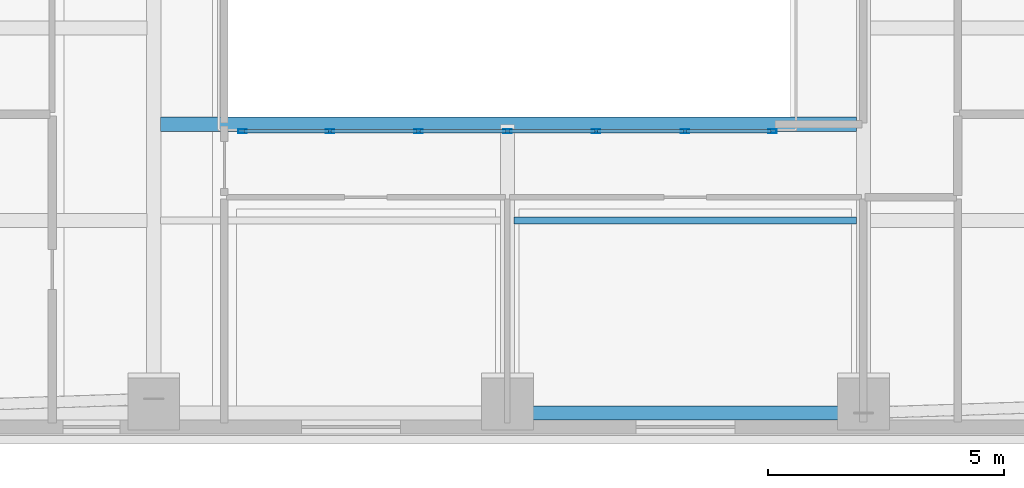
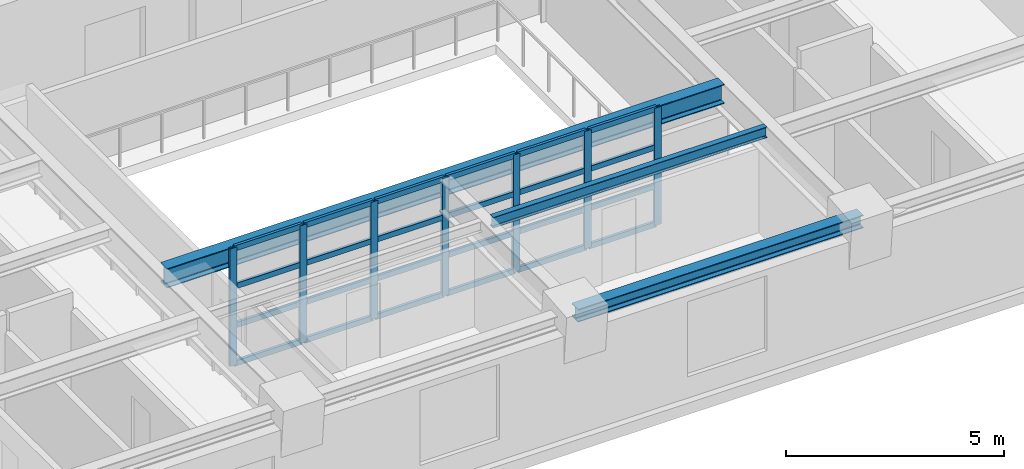
# One storey, part 2 of 12: 31 members, 3 beams, 1 element without a shape of its own.
"""IFC4 building model written with IfcOpenShell, lengths in metres."""

from ifc_helpers import new_model, si_unit, direction, frame, origin, origin_2d, place, context, subcontext, project, spatial, hollow_rectangle, i_section, extrude, material, layer, layer_set, material_profile, profile_set, type_object, element, aggregate, save


model = new_model("IFC4")

# Units and contexts
model_context = context("Model", 3, precision=1e-05, world=origin(), true_north=direction((0.0, 1.0)))
body_context = subcontext(model_context, "Body", "Model", "MODEL_VIEW")
ifc_project = project(units=[si_unit("LENGTHUNIT", "METRE"), si_unit("AREAUNIT", "SQUARE_METRE"), si_unit("VOLUMEUNIT", "CUBIC_METRE"), si_unit("PLANEANGLEUNIT", "RADIAN"), si_unit("MASSUNIT", "GRAM", prefix="KILO")], contexts=[model_context])

# Site, building, storey
site_placement = place(None, origin())
site = spatial("IfcSite", under=ifc_project, at=site_placement, CompositionType="ELEMENT")
building_placement = place(site_placement, origin())
building = spatial("IfcBuilding", under=site, at=building_placement, Name="Zarnavel Station Tower", CompositionType="ELEMENT")
storey_placement = place(building_placement, frame((0.0, 0.0, 166.10009765625)))
storey = spatial("IfcBuildingStorey", under=building, at=storey_placement, Name="L45", CompositionType="ELEMENT", Elevation=166.10009765625)

# Curtain wall, members
ifc_material_1 = material(Name="Aluminium Dark Anodised and Solar-Control Glass", Category="aluminium")
ifc_layer = layer(ifc_material_1, 0.179931640625)
ifc_layer_set = layer_set([ifc_layer], Name="CWS4")
curtain_wall_type = type_object("IfcCurtainWallType", Name="CWS4", PredefinedType="NOTDEFINED", material=ifc_layer_set)
curtain_wall_placement = place(storey_placement, origin())
curtain_wall = element("IfcCurtainWall", 1, at=curtain_wall_placement, inside=storey, type_object=curtain_wall_type, Name="L45 Curtain Wall CWS4-L45-AS", PredefinedType="NOTDEFINED")
ifc_material_2 = material(Name="Steel S355J2 (Black Fluoropolymer Coated)", Category="steel")
ifc_material_profile_1 = material_profile(ifc_material_2, hollow_rectangle(XDim=0.080078125, YDim=0.179931640625, WallThickness=0.00634765625, at=origin_2d()), Name="RHS180x80x6.3")
ifc_profile_set_1 = profile_set([ifc_material_profile_1], Name="Steel S355J2 (Black Fluoropolymer Coated)")
member_type_1 = type_object("IfcMemberType", Name="CWS4_MUL", PredefinedType="MULLION", material=ifc_profile_set_1)
member_1_placement = place(storey_placement, frame((23.179931640625, 16.85009765625, 0.0), z_axis=(0.0, 0.0, 1.0), x_axis=(0.0, 1.0, 0.0)))
member_1 = element("IfcMember", 2, at=member_1_placement, type_object=member_type_1, Name="CW4 mullion 1", PredefinedType="MULLION", context=body_context, shape_type="SweptSolid", body=[
    extrude(hollow_rectangle(XDim=0.080078125, YDim=0.179931640625, WallThickness=0.00634765625, at=origin_2d()), origin(), (0.0, 0.0, 1.0), 3.289794921875),
])
member_2_placement = place(storey_placement, frame((25.033447265625, 16.85009765625, 0.0), z_axis=(0.0, 0.0, 1.0), x_axis=(0.0, 1.0, 0.0)))
member_2 = element("IfcMember", 3, at=member_2_placement, type_object=member_type_1, Name="CW4 mullion 2", PredefinedType="MULLION", context=body_context, shape_type="SweptSolid", body=[
    extrude(hollow_rectangle(XDim=0.080078125, YDim=0.179931640625, WallThickness=0.00634765625, at=origin_2d()), origin(), (0.0, 0.0, 1.0), 3.289794921875),
])
member_3_placement = place(storey_placement, frame((26.916748046875, 16.85009765625, 0.0), z_axis=(0.0, 0.0, 1.0), x_axis=(0.0, 1.0, 0.0)))
member_3 = element("IfcMember", 4, at=member_3_placement, type_object=member_type_1, Name="CW4 mullion 3", PredefinedType="MULLION", context=body_context, shape_type="SweptSolid", body=[
    extrude(hollow_rectangle(XDim=0.080078125, YDim=0.179931640625, WallThickness=0.00634765625, at=origin_2d()), origin(), (0.0, 0.0, 1.0), 3.289794921875),
])
member_4_placement = place(storey_placement, frame((28.800048828125, 16.85009765625, 0.0), z_axis=(0.0, 0.0, 1.0), x_axis=(0.0, 1.0, 0.0)))
member_4 = element("IfcMember", 5, at=member_4_placement, type_object=member_type_1, Name="CW4 mullion 4", PredefinedType="MULLION", context=body_context, shape_type="SweptSolid", body=[
    extrude(hollow_rectangle(XDim=0.080078125, YDim=0.179931640625, WallThickness=0.00634765625, at=origin_2d()), origin(), (0.0, 0.0, 1.0), 3.289794921875),
])
member_5_placement = place(storey_placement, frame((30.683349609375, 16.85009765625, 0.0), z_axis=(0.0, 0.0, 1.0), x_axis=(0.0, 1.0, 0.0)))
member_5 = element("IfcMember", 6, at=member_5_placement, type_object=member_type_1, Name="CW4 mullion 5", PredefinedType="MULLION", context=body_context, shape_type="SweptSolid", body=[
    extrude(hollow_rectangle(XDim=0.080078125, YDim=0.179931640625, WallThickness=0.00634765625, at=origin_2d()), origin(), (0.0, 0.0, 1.0), 3.289794921875),
])
member_6_placement = place(storey_placement, frame((32.566650390625, 16.85009765625, 0.0), z_axis=(0.0, 0.0, 1.0), x_axis=(0.0, 1.0, 0.0)))
member_6 = element("IfcMember", 7, at=member_6_placement, type_object=member_type_1, Name="CW4 mullion 6", PredefinedType="MULLION", context=body_context, shape_type="SweptSolid", body=[
    extrude(hollow_rectangle(XDim=0.080078125, YDim=0.179931640625, WallThickness=0.00634765625, at=origin_2d()), origin(), (0.0, 0.0, 1.0), 3.289794921875),
])
member_7_placement = place(storey_placement, frame((34.419921875, 16.85009765625, 0.0), z_axis=(0.0, 0.0, 1.0), x_axis=(0.0, 1.0, 0.0)))
member_7 = element("IfcMember", 8, at=member_7_placement, type_object=member_type_1, Name="CW4 mullion 7", PredefinedType="MULLION", context=body_context, shape_type="SweptSolid", body=[
    extrude(hollow_rectangle(XDim=0.080078125, YDim=0.179931640625, WallThickness=0.00634765625, at=origin_2d()), origin(), (0.0, 0.0, 1.0), 3.289794921875),
])
ifc_material_3 = material(Name="Steel S355J2 (Black Fluoropolymer Coated)", Category="steel")
ifc_material_profile_2 = material_profile(ifc_material_3, hollow_rectangle(XDim=0.074951171875, YDim=0.14990234375, WallThickness=0.00634765625, at=origin_2d()), Name="RHS150x75x6.3")
ifc_profile_set_2 = profile_set([ifc_material_profile_2], Name="Steel S355J2 (Black Fluoropolymer Coated)")
member_type_2 = type_object("IfcMemberType", Name="CWS4_TRN", PredefinedType="USERDEFINED", material=ifc_profile_set_2)
member_8_placement = place(storey_placement, frame((23.2099609375, 16.85009765625, 0.02978515625), z_axis=(1.0, 0.0, 0.0), x_axis=(0.0, 1.0, 0.0)))
member_8 = element("IfcMember", 9, at=member_8_placement, type_object=member_type_2, Name="CW4 transom 1.1", ObjectType="TRANSOM", PredefinedType="USERDEFINED", context=body_context, shape_type="SweptSolid", body=[
    extrude(hollow_rectangle(XDim=0.074951171875, YDim=0.14990234375, WallThickness=0.00634765625, at=origin_2d()), origin(), (0.0, 0.0, 1.0), 1.79345703125),
])
member_9_placement = place(storey_placement, frame((23.2099609375, 16.85009765625, 1.0966796875), z_axis=(1.0, 0.0, 0.0), x_axis=(0.0, 1.0, 0.0)))
member_9 = element("IfcMember", 10, at=member_9_placement, type_object=member_type_2, Name="CW4 transom 1.2", ObjectType="TRANSOM", PredefinedType="USERDEFINED", context=body_context, shape_type="SweptSolid", body=[
    extrude(hollow_rectangle(XDim=0.074951171875, YDim=0.14990234375, WallThickness=0.00634765625, at=origin_2d()), origin(), (0.0, 0.0, 1.0), 1.79345703125),
])
member_10_placement = place(storey_placement, frame((23.2099609375, 16.85009765625, 2.193115234375), z_axis=(1.0, 0.0, 0.0), x_axis=(0.0, 1.0, 0.0)))
member_10 = element("IfcMember", 11, at=member_10_placement, type_object=member_type_2, Name="CW4 transom 1.3", ObjectType="TRANSOM", PredefinedType="USERDEFINED", context=body_context, shape_type="SweptSolid", body=[
    extrude(hollow_rectangle(XDim=0.074951171875, YDim=0.14990234375, WallThickness=0.00634765625, at=origin_2d()), origin(), (0.0, 0.0, 1.0), 1.79345703125),
])
member_11_placement = place(storey_placement, frame((23.2099609375, 16.85009765625, 3.260009765625), z_axis=(1.0, 0.0, 0.0), x_axis=(0.0, 1.0, 0.0)))
member_11 = element("IfcMember", 12, at=member_11_placement, type_object=member_type_2, Name="CW4 transom 1.4", ObjectType="TRANSOM", PredefinedType="USERDEFINED", context=body_context, shape_type="SweptSolid", body=[
    extrude(hollow_rectangle(XDim=0.074951171875, YDim=0.14990234375, WallThickness=0.00634765625, at=origin_2d()), origin(), (0.0, 0.0, 1.0), 1.79345703125),
])
member_12_placement = place(storey_placement, frame((25.063232421875, 16.85009765625, 0.02978515625), z_axis=(1.0, 0.0, 0.0), x_axis=(0.0, 1.0, 0.0)))
member_12 = element("IfcMember", 13, at=member_12_placement, type_object=member_type_2, Name="CW4 transom 2.1", ObjectType="TRANSOM", PredefinedType="USERDEFINED", context=body_context, shape_type="SweptSolid", body=[
    extrude(hollow_rectangle(XDim=0.074951171875, YDim=0.14990234375, WallThickness=0.00634765625, at=origin_2d()), origin(), (0.0, 0.0, 1.0), 1.823486328125),
])
member_13_placement = place(storey_placement, frame((25.063232421875, 16.85009765625, 1.0966796875), z_axis=(1.0, 0.0, 0.0), x_axis=(0.0, 1.0, 0.0)))
member_13 = element("IfcMember", 14, at=member_13_placement, type_object=member_type_2, Name="CW4 transom 2.2", ObjectType="TRANSOM", PredefinedType="USERDEFINED", context=body_context, shape_type="SweptSolid", body=[
    extrude(hollow_rectangle(XDim=0.074951171875, YDim=0.14990234375, WallThickness=0.00634765625, at=origin_2d()), origin(), (0.0, 0.0, 1.0), 1.823486328125),
])
member_14_placement = place(storey_placement, frame((25.063232421875, 16.85009765625, 2.193115234375), z_axis=(1.0, 0.0, 0.0), x_axis=(0.0, 1.0, 0.0)))
member_14 = element("IfcMember", 15, at=member_14_placement, type_object=member_type_2, Name="CW4 transom 2.3", ObjectType="TRANSOM", PredefinedType="USERDEFINED", context=body_context, shape_type="SweptSolid", body=[
    extrude(hollow_rectangle(XDim=0.074951171875, YDim=0.14990234375, WallThickness=0.00634765625, at=origin_2d()), origin(), (0.0, 0.0, 1.0), 1.823486328125),
])
member_15_placement = place(storey_placement, frame((25.063232421875, 16.85009765625, 3.260009765625), z_axis=(1.0, 0.0, 0.0), x_axis=(0.0, 1.0, 0.0)))
member_15 = element("IfcMember", 16, at=member_15_placement, type_object=member_type_2, Name="CW4 transom 2.4", ObjectType="TRANSOM", PredefinedType="USERDEFINED", context=body_context, shape_type="SweptSolid", body=[
    extrude(hollow_rectangle(XDim=0.074951171875, YDim=0.14990234375, WallThickness=0.00634765625, at=origin_2d()), origin(), (0.0, 0.0, 1.0), 1.823486328125),
])
member_16_placement = place(storey_placement, frame((26.94677734375, 16.85009765625, 0.02978515625), z_axis=(1.0, 0.0, 0.0), x_axis=(0.0, 1.0, 0.0)))
member_16 = element("IfcMember", 17, at=member_16_placement, type_object=member_type_2, Name="CW4 transom 3.1", ObjectType="TRANSOM", PredefinedType="USERDEFINED", context=body_context, shape_type="SweptSolid", body=[
    extrude(hollow_rectangle(XDim=0.074951171875, YDim=0.14990234375, WallThickness=0.00634765625, at=origin_2d()), origin(), (0.0, 0.0, 1.0), 1.8232421875),
])
member_17_placement = place(storey_placement, frame((26.94677734375, 16.85009765625, 1.0966796875), z_axis=(1.0, 0.0, 0.0), x_axis=(0.0, 1.0, 0.0)))
member_17 = element("IfcMember", 18, at=member_17_placement, type_object=member_type_2, Name="CW4 transom 3.2", ObjectType="TRANSOM", PredefinedType="USERDEFINED", context=body_context, shape_type="SweptSolid", body=[
    extrude(hollow_rectangle(XDim=0.074951171875, YDim=0.14990234375, WallThickness=0.00634765625, at=origin_2d()), origin(), (0.0, 0.0, 1.0), 1.8232421875),
])
member_18_placement = place(storey_placement, frame((26.94677734375, 16.85009765625, 2.193115234375), z_axis=(1.0, 0.0, 0.0), x_axis=(0.0, 1.0, 0.0)))
member_18 = element("IfcMember", 19, at=member_18_placement, type_object=member_type_2, Name="CW4 transom 3.3", ObjectType="TRANSOM", PredefinedType="USERDEFINED", context=body_context, shape_type="SweptSolid", body=[
    extrude(hollow_rectangle(XDim=0.074951171875, YDim=0.14990234375, WallThickness=0.00634765625, at=origin_2d()), origin(), (0.0, 0.0, 1.0), 1.8232421875),
])
member_19_placement = place(storey_placement, frame((26.94677734375, 16.85009765625, 3.260009765625), z_axis=(1.0, 0.0, 0.0), x_axis=(0.0, 1.0, 0.0)))
member_19 = element("IfcMember", 20, at=member_19_placement, type_object=member_type_2, Name="CW4 transom 3.4", ObjectType="TRANSOM", PredefinedType="USERDEFINED", context=body_context, shape_type="SweptSolid", body=[
    extrude(hollow_rectangle(XDim=0.074951171875, YDim=0.14990234375, WallThickness=0.00634765625, at=origin_2d()), origin(), (0.0, 0.0, 1.0), 1.8232421875),
])
member_20_placement = place(storey_placement, frame((28.830078125, 16.85009765625, 0.02978515625), z_axis=(1.0, 0.0, 0.0), x_axis=(0.0, 1.0, 0.0)))
member_20 = element("IfcMember", 21, at=member_20_placement, type_object=member_type_2, Name="CW4 transom 4.1", ObjectType="TRANSOM", PredefinedType="USERDEFINED", context=body_context, shape_type="SweptSolid", body=[
    extrude(hollow_rectangle(XDim=0.074951171875, YDim=0.14990234375, WallThickness=0.00634765625, at=origin_2d()), origin(), (0.0, 0.0, 1.0), 1.8232421875),
])
member_21_placement = place(storey_placement, frame((28.830078125, 16.85009765625, 1.0966796875), z_axis=(1.0, 0.0, 0.0), x_axis=(0.0, 1.0, 0.0)))
member_21 = element("IfcMember", 22, at=member_21_placement, type_object=member_type_2, Name="CW4 transom 4.2", ObjectType="TRANSOM", PredefinedType="USERDEFINED", context=body_context, shape_type="SweptSolid", body=[
    extrude(hollow_rectangle(XDim=0.074951171875, YDim=0.14990234375, WallThickness=0.00634765625, at=origin_2d()), origin(), (0.0, 0.0, 1.0), 1.8232421875),
])
member_22_placement = place(storey_placement, frame((28.830078125, 16.85009765625, 2.193115234375), z_axis=(1.0, 0.0, 0.0), x_axis=(0.0, 1.0, 0.0)))
member_22 = element("IfcMember", 23, at=member_22_placement, type_object=member_type_2, Name="CW4 transom 4.3", ObjectType="TRANSOM", PredefinedType="USERDEFINED", context=body_context, shape_type="SweptSolid", body=[
    extrude(hollow_rectangle(XDim=0.074951171875, YDim=0.14990234375, WallThickness=0.00634765625, at=origin_2d()), origin(), (0.0, 0.0, 1.0), 1.8232421875),
])
member_23_placement = place(storey_placement, frame((28.830078125, 16.85009765625, 3.260009765625), z_axis=(1.0, 0.0, 0.0), x_axis=(0.0, 1.0, 0.0)))
member_23 = element("IfcMember", 24, at=member_23_placement, type_object=member_type_2, Name="CW4 transom 4.4", ObjectType="TRANSOM", PredefinedType="USERDEFINED", context=body_context, shape_type="SweptSolid", body=[
    extrude(hollow_rectangle(XDim=0.074951171875, YDim=0.14990234375, WallThickness=0.00634765625, at=origin_2d()), origin(), (0.0, 0.0, 1.0), 1.8232421875),
])
member_24_placement = place(storey_placement, frame((30.71337890625, 16.85009765625, 0.02978515625), z_axis=(1.0, 0.0, 0.0), x_axis=(0.0, 1.0, 0.0)))
member_24 = element("IfcMember", 25, at=member_24_placement, type_object=member_type_2, Name="CW4 transom 5.1", ObjectType="TRANSOM", PredefinedType="USERDEFINED", context=body_context, shape_type="SweptSolid", body=[
    extrude(hollow_rectangle(XDim=0.074951171875, YDim=0.14990234375, WallThickness=0.00634765625, at=origin_2d()), origin(), (0.0, 0.0, 1.0), 1.8232421875),
])
member_25_placement = place(storey_placement, frame((30.71337890625, 16.85009765625, 1.0966796875), z_axis=(1.0, 0.0, 0.0), x_axis=(0.0, 1.0, 0.0)))
member_25 = element("IfcMember", 26, at=member_25_placement, type_object=member_type_2, Name="CW4 transom 5.2", ObjectType="TRANSOM", PredefinedType="USERDEFINED", context=body_context, shape_type="SweptSolid", body=[
    extrude(hollow_rectangle(XDim=0.074951171875, YDim=0.14990234375, WallThickness=0.00634765625, at=origin_2d()), origin(), (0.0, 0.0, 1.0), 1.8232421875),
])
member_26_placement = place(storey_placement, frame((30.71337890625, 16.85009765625, 2.193115234375), z_axis=(1.0, 0.0, 0.0), x_axis=(0.0, 1.0, 0.0)))
member_26 = element("IfcMember", 27, at=member_26_placement, type_object=member_type_2, Name="CW4 transom 5.3", ObjectType="TRANSOM", PredefinedType="USERDEFINED", context=body_context, shape_type="SweptSolid", body=[
    extrude(hollow_rectangle(XDim=0.074951171875, YDim=0.14990234375, WallThickness=0.00634765625, at=origin_2d()), origin(), (0.0, 0.0, 1.0), 1.8232421875),
])
member_27_placement = place(storey_placement, frame((30.71337890625, 16.85009765625, 3.260009765625), z_axis=(1.0, 0.0, 0.0), x_axis=(0.0, 1.0, 0.0)))
member_27 = element("IfcMember", 28, at=member_27_placement, type_object=member_type_2, Name="CW4 transom 5.4", ObjectType="TRANSOM", PredefinedType="USERDEFINED", context=body_context, shape_type="SweptSolid", body=[
    extrude(hollow_rectangle(XDim=0.074951171875, YDim=0.14990234375, WallThickness=0.00634765625, at=origin_2d()), origin(), (0.0, 0.0, 1.0), 1.8232421875),
])
member_28_placement = place(storey_placement, frame((32.5966796875, 16.85009765625, 0.02978515625), z_axis=(1.0, 0.0, 0.0), x_axis=(0.0, 1.0, 0.0)))
member_28 = element("IfcMember", 29, at=member_28_placement, type_object=member_type_2, Name="CW4 transom 6.1", ObjectType="TRANSOM", PredefinedType="USERDEFINED", context=body_context, shape_type="SweptSolid", body=[
    extrude(hollow_rectangle(XDim=0.074951171875, YDim=0.14990234375, WallThickness=0.00634765625, at=origin_2d()), origin(), (0.0, 0.0, 1.0), 1.793212890625),
])
member_29_placement = place(storey_placement, frame((32.5966796875, 16.85009765625, 1.0966796875), z_axis=(1.0, 0.0, 0.0), x_axis=(0.0, 1.0, 0.0)))
member_29 = element("IfcMember", 30, at=member_29_placement, type_object=member_type_2, Name="CW4 transom 6.2", ObjectType="TRANSOM", PredefinedType="USERDEFINED", context=body_context, shape_type="SweptSolid", body=[
    extrude(hollow_rectangle(XDim=0.074951171875, YDim=0.14990234375, WallThickness=0.00634765625, at=origin_2d()), origin(), (0.0, 0.0, 1.0), 1.793212890625),
])
member_30_placement = place(storey_placement, frame((32.5966796875, 16.85009765625, 2.193115234375), z_axis=(1.0, 0.0, 0.0), x_axis=(0.0, 1.0, 0.0)))
member_30 = element("IfcMember", 31, at=member_30_placement, type_object=member_type_2, Name="CW4 transom 6.3", ObjectType="TRANSOM", PredefinedType="USERDEFINED", context=body_context, shape_type="SweptSolid", body=[
    extrude(hollow_rectangle(XDim=0.074951171875, YDim=0.14990234375, WallThickness=0.00634765625, at=origin_2d()), origin(), (0.0, 0.0, 1.0), 1.793212890625),
])
member_31_placement = place(storey_placement, frame((32.5966796875, 16.85009765625, 3.260009765625), z_axis=(1.0, 0.0, 0.0), x_axis=(0.0, 1.0, 0.0)))
member_31 = element("IfcMember", 32, at=member_31_placement, type_object=member_type_2, Name="CW4 transom 6.4", ObjectType="TRANSOM", PredefinedType="USERDEFINED", context=body_context, shape_type="SweptSolid", body=[
    extrude(hollow_rectangle(XDim=0.074951171875, YDim=0.14990234375, WallThickness=0.00634765625, at=origin_2d()), origin(), (0.0, 0.0, 1.0), 1.793212890625),
])
aggregate(curtain_wall, [member_1, member_2, member_3, member_4, member_5, member_6, member_7, member_8, member_9, member_10, member_11, member_12, member_13, member_14, member_15, member_16, member_17, member_18, member_19, member_20, member_21, member_22, member_23, member_24, member_25, member_26, member_27, member_28, member_29, member_30, member_31])

# Beams
ifc_material_4 = material(Name="Steel S355J2", Category="steel")
ifc_material_profile_3 = material_profile(ifc_material_4, i_section(OverallWidth=0.300048828125, OverallDepth=0.360107421875, WebThickness=0.012451171875, FlangeThickness=0.0224609375, FilletRadius=0.027099609375, at=origin_2d()), Name="HEB360")
ifc_profile_set_3 = profile_set([ifc_material_profile_3], Name="Steel S355J2")
beam_type_1 = type_object("IfcBeamType", Name="EB_HEB360", PredefinedType="SPANDREL", material=ifc_profile_set_3)
beam_1_placement = place(storey_placement, frame((28.800048828125, 10.8779296875, 3.10986328125), z_axis=(1.0, 0.0, 0.0), x_axis=(0.0, 1.0, 0.0)))
element("IfcBeam", 33, at=beam_1_placement, inside=storey, type_object=beam_type_1, Name="L45 South Raked Spandrel 3", PredefinedType="SPANDREL", context=body_context, shape_type="SweptSolid", body=[
    extrude(i_section(OverallWidth=0.300048828125, OverallDepth=0.360107421875, WebThickness=0.012451171875, FlangeThickness=0.0224609375, FilletRadius=0.027099609375, at=origin_2d()), origin(), (0.0, 0.0, 1.0), 7.550048828125),
])
ifc_material_5 = material(Name="Steel S355J2", Category="steel")
ifc_material_profile_4 = material_profile(ifc_material_5, i_section(OverallWidth=0.300048828125, OverallDepth=0.5400390625, WebThickness=0.012451171875, FlangeThickness=0.02392578125, FilletRadius=0.027099609375, at=origin_2d()), Name="HEA550")
ifc_profile_set_4 = profile_set([ifc_material_profile_4], Name="Steel S355J2")
beam_type_2 = type_object("IfcBeamType", Name="FB_HEA550", PredefinedType="BEAM", material=ifc_profile_set_4)
beam_2_placement = place(storey_placement, frame((21.445068359375, 17.0, 3.02001953125), z_axis=(1.0, 0.0, 0.0), x_axis=(0.0, 1.0, 0.0)))
element("IfcBeam", 34, at=beam_2_placement, inside=storey, type_object=beam_type_2, Name="L45 Atrium South Edge Girder", PredefinedType="BEAM", context=body_context, shape_type="SweptSolid", body=[
    extrude(i_section(OverallWidth=0.300048828125, OverallDepth=0.5400390625, WebThickness=0.012451171875, FlangeThickness=0.02392578125, FilletRadius=0.027099609375, at=origin_2d()), origin(), (0.0, 0.0, 1.0), 14.760009765625),
])
ifc_material_6 = material(Name="Steel S355J2", Category="steel")
ifc_material_profile_5 = material_profile(ifc_material_6, i_section(OverallWidth=0.14990234375, OverallDepth=0.300048828125, WebThickness=0.007080078125, FlangeThickness=0.0107421875, FilletRadius=0.014892578125, at=origin_2d()), Name="IPE300")
ifc_profile_set_5 = profile_set([ifc_material_profile_5], Name="Steel S355J2")
beam_type_3 = type_object("IfcBeamType", Name="FJ_IPE300", PredefinedType="JOIST", material=ifc_profile_set_5)
beam_3_placement = place(storey_placement, frame((28.945068359375, 14.95849609375, 3.139892578125), z_axis=(1.0, 0.0, 0.0), x_axis=(0.0, 1.0, 0.0)))
element("IfcBeam", 35, at=beam_3_placement, inside=storey, type_object=beam_type_3, Name="L45 Mid-East Joist 1", PredefinedType="JOIST", context=body_context, shape_type="SweptSolid", body=[
    extrude(i_section(OverallWidth=0.14990234375, OverallDepth=0.300048828125, WebThickness=0.007080078125, FlangeThickness=0.0107421875, FilletRadius=0.014892578125, at=origin_2d()), origin(), (0.0, 0.0, 1.0), 7.260009765625),
])

save(model, "model.ifc")
